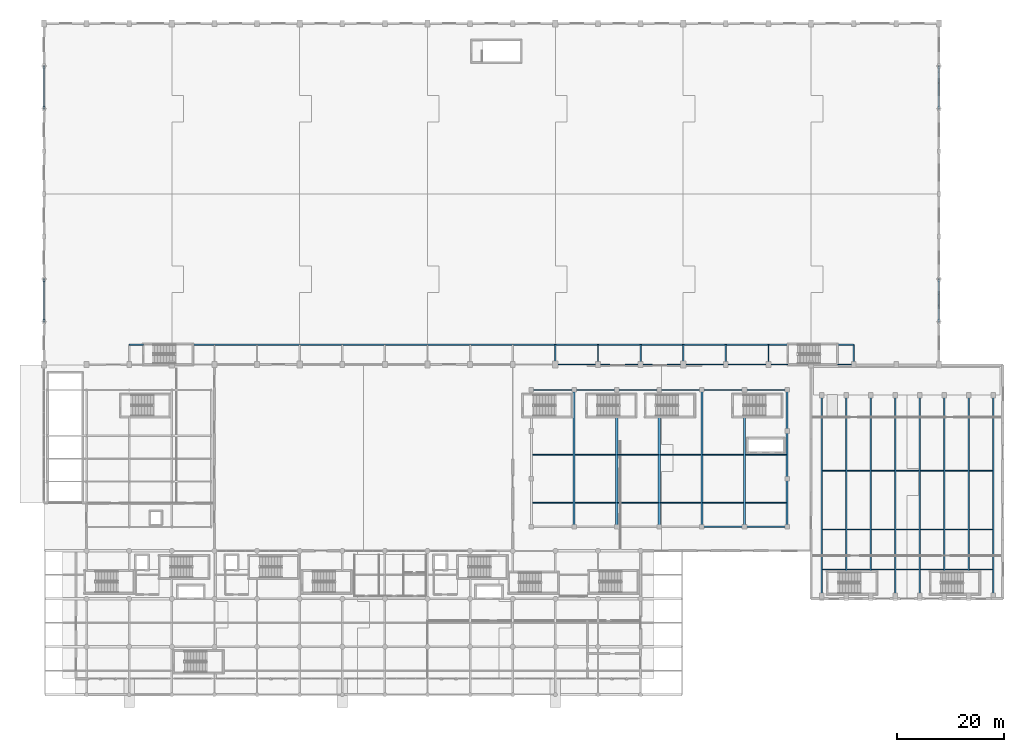
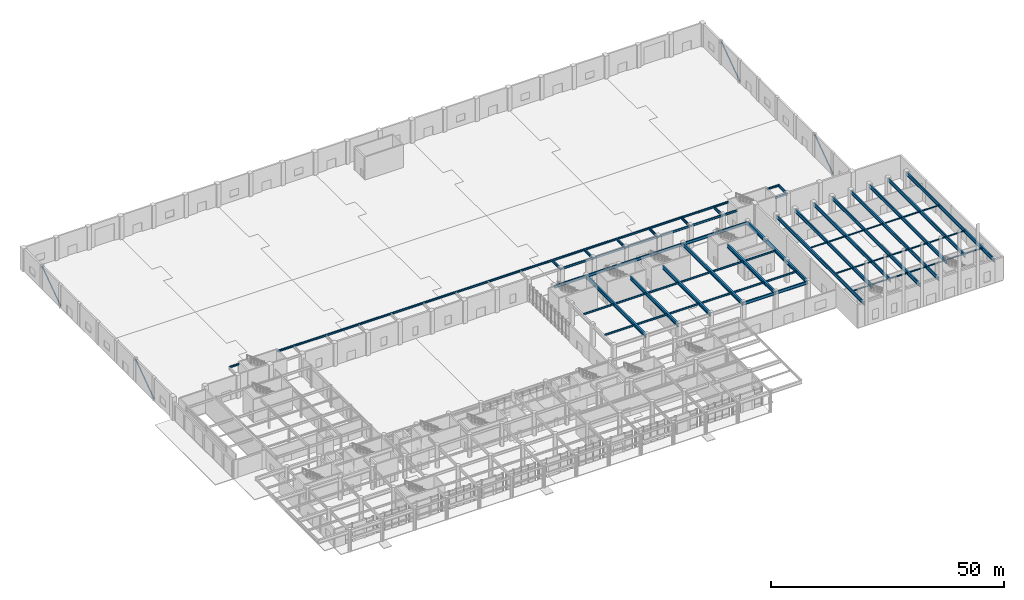
# One storey, part 18 of 49: 86 beams, 4 members.
"""IFC4 building model written with IfcOpenShell, lengths in metres."""

from ifc_helpers import new_model, si_unit, direction, frame, origin, origin_2d, place, context, subcontext, project, spatial, hollow_rectangle, i_section, extrude, material, material_profile, profile_set, type_object, element, save


model = new_model("IFC4")

# Units and contexts
model_context = context("Model", 3, precision=1e-05, world=origin(), true_north=direction((0.0, 1.0)))
body_context = subcontext(model_context, "Body", "Model", "MODEL_VIEW")
ifc_project = project(units=[si_unit("LENGTHUNIT", "METRE"), si_unit("AREAUNIT", "SQUARE_METRE"), si_unit("VOLUMEUNIT", "CUBIC_METRE"), si_unit("PLANEANGLEUNIT", "RADIAN"), si_unit("MASSUNIT", "GRAM", prefix="KILO")], contexts=[model_context])

# Site, building, storey
site_placement = place(None, origin())
site = spatial("IfcSite", under=ifc_project, at=site_placement, CompositionType="ELEMENT")
building_placement = place(site_placement, origin())
building = spatial("IfcBuilding", under=site, at=building_placement, Name="Tlacozan Convention Centre", CompositionType="ELEMENT")
storey_placement = place(building_placement, origin())
storey = spatial("IfcBuildingStorey", under=building, at=storey_placement, Name="L00", CompositionType="ELEMENT", Elevation=0.0)

# Beams
ifc_material_1 = material(Name="Steel ASTM A992 Grade 50", Category="steel")
ifc_material_profile_1 = material_profile(ifc_material_1, i_section(OverallWidth=0.41796875, OverallDepth=0.912109375, WebThickness=0.019287109375, FlangeThickness=0.031982421875, FilletRadius=0.02001953125, at=origin_2d()), Name="IR 914x342.0")
ifc_profile_set_1 = profile_set([ifc_material_profile_1], Name="Steel ASTM A992 Grade 50")
beam_type_1 = type_object("IfcBeamType", Name="Ballroom Span Girder IR 914x342", PredefinedType="BEAM", material=ifc_profile_set_1)
beam_1_placement = place(storey_placement, frame((99.5, 31.5, 5.2041015625), z_axis=(0.0, 1.0, 0.0), x_axis=(-1.0, 0.0, 0.0)))
element("IfcBeam", 1, at=beam_1_placement, inside=storey, type_object=beam_type_1, Name="L00 Ballroom Span Girder IR 914x342 1409", PredefinedType="BEAM", context=body_context, shape_type="SweptSolid", body=[
    extrude(i_section(OverallWidth=0.41796875, OverallDepth=0.912109375, WebThickness=0.019287109375, FlangeThickness=0.031982421875, FilletRadius=0.02001953125, at=origin_2d()), origin(), (0.0, 0.0, 1.0), 25.699951171875),
])
for number, where, z_axis, x_axis, name in (
    (2, (107.5, 31.5, 5.2041015625), (0.0, 1.0, 0.0), (-1.0, 0.0, 0.0), "L00 Ballroom Span Girder IR 914x342 1410"),
    (3, (115.5, 31.5, 5.2041015625), (0.0, 1.0, 0.0), (-1.0, 0.0, 0.0), "L00 Ballroom Span Girder IR 914x342 1411"),
):
    element("IfcBeam", number, at=place(storey_placement, frame(where, z_axis=z_axis, x_axis=x_axis)), inside=storey, type_object=beam_type_1, Name=name, PredefinedType="BEAM", context=body_context, shape_type="SweptSolid", body=[
        extrude(i_section(OverallWidth=0.41796875, OverallDepth=0.912109375, WebThickness=0.019287109375, FlangeThickness=0.031982421875, FilletRadius=0.02001953125, at=origin_2d()), origin(), (0.0, 0.0, 1.0), 20.639892578125),
    ])
beam_2_placement = place(storey_placement, frame((123.5, 31.5, 5.2041015625), z_axis=(0.0, 1.0, 0.0), x_axis=(-1.0, 0.0, 0.0)))
element("IfcBeam", 4, at=beam_2_placement, inside=storey, type_object=beam_type_1, Name="L00 Ballroom Span Girder IR 914x342 1412", PredefinedType="BEAM", context=body_context, shape_type="SweptSolid", body=[
    extrude(i_section(OverallWidth=0.41796875, OverallDepth=0.912109375, WebThickness=0.019287109375, FlangeThickness=0.031982421875, FilletRadius=0.02001953125, at=origin_2d()), origin(), (0.0, 0.0, 1.0), 25.699951171875),
])
beam_3_placement = place(storey_placement, frame((131.5, 31.5, 5.2041015625), z_axis=(0.0, 1.0, 0.0), x_axis=(-1.0, 0.0, 0.0)))
element("IfcBeam", 5, at=beam_3_placement, inside=storey, type_object=beam_type_1, Name="L00 Ballroom Span Girder IR 914x342 1413", PredefinedType="BEAM", context=body_context, shape_type="SweptSolid", body=[
    extrude(i_section(OverallWidth=0.41796875, OverallDepth=0.912109375, WebThickness=0.019287109375, FlangeThickness=0.031982421875, FilletRadius=0.02001953125, at=origin_2d()), origin(), (0.0, 0.0, 1.0), 20.639892578125),
])
beam_4_placement = place(storey_placement, frame((139.5, 31.5, 5.2041015625), z_axis=(0.0, 1.0, 0.0), x_axis=(-1.0, 0.0, 0.0)))
element("IfcBeam", 6, at=beam_4_placement, inside=storey, type_object=beam_type_1, Name="L00 Ballroom Span Girder IR 914x342 1414", PredefinedType="BEAM", context=body_context, shape_type="SweptSolid", body=[
    extrude(i_section(OverallWidth=0.41796875, OverallDepth=0.912109375, WebThickness=0.019287109375, FlangeThickness=0.031982421875, FilletRadius=0.02001953125, at=origin_2d()), origin(), (0.0, 0.0, 1.0), 25.699951171875),
])
ifc_material_profile_2 = material_profile(ifc_material_1, i_section(OverallWidth=0.280029296875, OverallDepth=0.462890625, WebThickness=0.0107421875, FlangeThickness=0.017333984375, FilletRadius=0.011962890625, at=origin_2d()), Name="IR 457x113.0")
ifc_profile_set_2 = profile_set([ifc_material_profile_2], Name="Steel ASTM A992 Grade 50")
beam_type_2 = type_object("IfcBeamType", Name="Floor Beam IR 457x113", PredefinedType="BEAM", material=ifc_profile_set_2)
beam_5_placement = place(storey_placement, frame((16.0, 65.64990234375, 5.53857421875), z_axis=(1.0, 0.0, 0.0), x_axis=(0.0, 1.0, 0.0)))
element("IfcBeam", 7, at=beam_5_placement, inside=storey, type_object=beam_type_2, Name="L00 Floor Beam IR 457x113 1317", PredefinedType="BEAM", context=body_context, shape_type="SweptSolid", body=[
    extrude(i_section(OverallWidth=0.280029296875, OverallDepth=0.462890625, WebThickness=0.0107421875, FlangeThickness=0.017333984375, FilletRadius=0.011962890625, at=origin_2d()), origin(), (0.0, 0.0, 1.0), 2.639892578125),
])
beam_6_placement = place(storey_placement, frame((27.9599609375, 65.64990234375, 5.53857421875), z_axis=(1.0, 0.0, 0.0), x_axis=(0.0, 1.0, 0.0)))
element("IfcBeam", 8, at=beam_6_placement, inside=storey, type_object=beam_type_2, Name="L00 Floor Beam IR 457x113 1319", PredefinedType="BEAM", context=body_context, shape_type="SweptSolid", body=[
    extrude(i_section(OverallWidth=0.280029296875, OverallDepth=0.462890625, WebThickness=0.0107421875, FlangeThickness=0.017333984375, FilletRadius=0.011962890625, at=origin_2d()), origin(), (0.0, 0.0, 1.0), 4.0400390625),
])
for number, where, z_axis, x_axis, name in (
    (9, (32.0, 65.64990234375, 5.53857421875), (1.0, 0.0, 0.0), (0.0, 1.0, 0.0), "L00 Floor Beam IR 457x113 1321"),
    (10, (40.0, 65.64990234375, 5.53857421875), (1.0, 0.0, 0.0), (0.0, 1.0, 0.0), "L00 Floor Beam IR 457x113 1323"),
    (11, (48.0, 65.64990234375, 5.53857421875), (1.0, 0.0, 0.0), (0.0, 1.0, 0.0), "L00 Floor Beam IR 457x113 1325"),
    (12, (56.0, 65.64990234375, 5.53857421875), (1.0, 0.0, 0.0), (0.0, 1.0, 0.0), "L00 Floor Beam IR 457x113 1327"),
    (13, (64.0, 65.64990234375, 5.53857421875), (1.0, 0.0, 0.0), (0.0, 1.0, 0.0), "L00 Floor Beam IR 457x113 1329"),
    (14, (72.0, 65.64990234375, 5.53857421875), (1.0, 0.0, 0.0), (0.0, 1.0, 0.0), "L00 Floor Beam IR 457x113 1331"),
    (15, (80.0, 65.64990234375, 5.53857421875), (1.0, 0.0, 0.0), (0.0, 1.0, 0.0), "L00 Floor Beam IR 457x113 1333"),
    (16, (88.0, 65.64990234375, 5.53857421875), (1.0, 0.0, 0.0), (0.0, 1.0, 0.0), "L00 Floor Beam IR 457x113 1335"),
    (17, (96.0, 65.64990234375, 5.53857421875), (1.0, 0.0, 0.0), (0.0, 1.0, 0.0), "L00 Floor Beam IR 457x113 1337"),
    (18, (104.0, 65.64990234375, 5.53857421875), (1.0, 0.0, 0.0), (0.0, 1.0, 0.0), "L00 Floor Beam IR 457x113 1339"),
    (19, (112.0, 65.64990234375, 5.53857421875), (1.0, 0.0, 0.0), (0.0, 1.0, 0.0), "L00 Floor Beam IR 457x113 1341"),
    (20, (120.0, 65.64990234375, 5.53857421875), (1.0, 0.0, 0.0), (0.0, 1.0, 0.0), "L00 Floor Beam IR 457x113 1343"),
    (21, (128.0, 65.64990234375, 5.53857421875), (1.0, 0.0, 0.0), (0.0, 1.0, 0.0), "L00 Floor Beam IR 457x113 1345"),
):
    element("IfcBeam", number, at=place(storey_placement, frame(where, z_axis=z_axis, x_axis=x_axis)), inside=storey, type_object=beam_type_2, Name=name, PredefinedType="BEAM", context=body_context, shape_type="SweptSolid", body=[
        extrude(i_section(OverallWidth=0.280029296875, OverallDepth=0.462890625, WebThickness=0.0107421875, FlangeThickness=0.017333984375, FilletRadius=0.011962890625, at=origin_2d()), origin(), (0.0, 0.0, 1.0), 8.0),
    ])
beam_7_placement = place(storey_placement, frame((136.0, 65.64990234375, 5.53857421875), z_axis=(1.0, 0.0, 0.0), x_axis=(0.0, 1.0, 0.0)))
element("IfcBeam", 22, at=beam_7_placement, inside=storey, type_object=beam_type_2, Name="L00 Floor Beam IR 457x113 1347", PredefinedType="BEAM", context=body_context, shape_type="SweptSolid", body=[
    extrude(i_section(OverallWidth=0.280029296875, OverallDepth=0.462890625, WebThickness=0.0107421875, FlangeThickness=0.017333984375, FilletRadius=0.011962890625, at=origin_2d()), origin(), (0.0, 0.0, 1.0), 3.639892578125),
])
beam_8_placement = place(storey_placement, frame((148.9599609375, 65.64990234375, 5.53857421875), z_axis=(1.0, 0.0, 0.0), x_axis=(0.0, 1.0, 0.0)))
element("IfcBeam", 23, at=beam_8_placement, inside=storey, type_object=beam_type_2, Name="L00 Floor Beam IR 457x113 1349", PredefinedType="BEAM", context=body_context, shape_type="SweptSolid", body=[
    extrude(i_section(OverallWidth=0.280029296875, OverallDepth=0.462890625, WebThickness=0.0107421875, FlangeThickness=0.017333984375, FilletRadius=0.011962890625, at=origin_2d()), origin(), (0.0, 0.0, 1.0), 3.0400390625),
])
ifc_material_profile_3 = material_profile(ifc_material_1, i_section(OverallWidth=0.2109375, OverallDepth=0.5390625, WebThickness=0.01171875, FlangeThickness=0.018798828125, FilletRadius=0.012939453125, at=origin_2d()), Name="IR 533x109.0")
ifc_profile_set_3 = profile_set([ifc_material_profile_3], Name="Steel ASTM A992 Grade 50")
beam_type_3 = type_object("IfcBeamType", Name="Floor Beam IR 533x109", PredefinedType="BEAM", material=ifc_profile_set_3)
for number, where, z_axis, x_axis, name in (
    (24, (96.0, 62.0, 5.50048828125), (1.0, 0.0, 0.0), (0.0, 1.0, 0.0), "L00 Floor Beam IR 533x109 1338"),
    (25, (104.0, 62.0, 5.50048828125), (1.0, 0.0, 0.0), (0.0, 1.0, 0.0), "L00 Floor Beam IR 533x109 1340"),
    (26, (112.0, 62.0, 5.50048828125), (1.0, 0.0, 0.0), (0.0, 1.0, 0.0), "L00 Floor Beam IR 533x109 1342"),
    (27, (120.0, 62.0, 5.50048828125), (1.0, 0.0, 0.0), (0.0, 1.0, 0.0), "L00 Floor Beam IR 533x109 1344"),
    (28, (128.0, 62.0, 5.50048828125), (1.0, 0.0, 0.0), (0.0, 1.0, 0.0), "L00 Floor Beam IR 533x109 1346"),
):
    element("IfcBeam", number, at=place(storey_placement, frame(where, z_axis=z_axis, x_axis=x_axis)), inside=storey, type_object=beam_type_3, Name=name, PredefinedType="BEAM", context=body_context, shape_type="SweptSolid", body=[
        extrude(i_section(OverallWidth=0.2109375, OverallDepth=0.5390625, WebThickness=0.01171875, FlangeThickness=0.018798828125, FilletRadius=0.012939453125, at=origin_2d()), origin(), (0.0, 0.0, 1.0), 8.0),
    ])
beam_9_placement = place(storey_placement, frame((136.0, 62.0, 5.50048828125), z_axis=(1.0, 0.0, 0.0), x_axis=(0.0, 1.0, 0.0)))
element("IfcBeam", 29, at=beam_9_placement, inside=storey, type_object=beam_type_3, Name="L00 Floor Beam IR 533x109 1348", PredefinedType="BEAM", context=body_context, shape_type="SweptSolid", body=[
    extrude(i_section(OverallWidth=0.2109375, OverallDepth=0.5390625, WebThickness=0.01171875, FlangeThickness=0.018798828125, FilletRadius=0.012939453125, at=origin_2d()), origin(), (0.0, 0.0, 1.0), 3.639892578125),
])
beam_10_placement = place(storey_placement, frame((148.9599609375, 62.0, 5.50048828125), z_axis=(1.0, 0.0, 0.0), x_axis=(0.0, 1.0, 0.0)))
element("IfcBeam", 30, at=beam_10_placement, inside=storey, type_object=beam_type_3, Name="L00 Floor Beam IR 533x109 1350", PredefinedType="BEAM", context=body_context, shape_type="SweptSolid", body=[
    extrude(i_section(OverallWidth=0.2109375, OverallDepth=0.5390625, WebThickness=0.01171875, FlangeThickness=0.018798828125, FilletRadius=0.012939453125, at=origin_2d()), origin(), (0.0, 0.0, 1.0), 3.0400390625),
])
ifc_material_profile_4 = material_profile(ifc_material_1, i_section(OverallWidth=0.256103515625, OverallDepth=0.693115234375, WebThickness=0.014404296875, FlangeThickness=0.023681640625, FilletRadius=0.014892578125, at=origin_2d()), Name="IR 686x170.0")
ifc_profile_set_4 = profile_set([ifc_material_profile_4], Name="Steel ASTM A992 Grade 50")
beam_type_4 = type_object("IfcBeamType", Name="Girder Steel IR 686x170", PredefinedType="BEAM", material=ifc_profile_set_4)
for number, where, z_axis, x_axis, name in (
    (31, (96.0, 62.0, 5.423583984375), (0.0, 1.0, 0.0), (-1.0, 0.0, 0.0), "L00 Girder Steel IR 686x170 1310"),
    (32, (104.0, 62.0, 5.423583984375), (0.0, 1.0, 0.0), (-1.0, 0.0, 0.0), "L00 Girder Steel IR 686x170 1311"),
    (33, (112.0, 62.0, 5.423583984375), (0.0, 1.0, 0.0), (-1.0, 0.0, 0.0), "L00 Girder Steel IR 686x170 1312"),
    (34, (120.0, 62.0, 5.423583984375), (0.0, 1.0, 0.0), (-1.0, 0.0, 0.0), "L00 Girder Steel IR 686x170 1313"),
    (35, (128.0, 62.0, 5.423583984375), (0.0, 1.0, 0.0), (-1.0, 0.0, 0.0), "L00 Girder Steel IR 686x170 1314"),
    (36, (136.0, 62.0, 5.423583984375), (0.0, 1.0, 0.0), (-1.0, 0.0, 0.0), "L00 Girder Steel IR 686x170 1315"),
    (37, (152.0, 62.0, 5.423583984375), (0.0, 1.0, 0.0), (-1.0, 0.0, 0.0), "L00 Girder Steel IR 686x170 1316"),
):
    element("IfcBeam", number, at=place(storey_placement, frame(where, z_axis=z_axis, x_axis=x_axis)), inside=storey, type_object=beam_type_4, Name=name, PredefinedType="BEAM", context=body_context, shape_type="SweptSolid", body=[
        extrude(i_section(OverallWidth=0.256103515625, OverallDepth=0.693115234375, WebThickness=0.014404296875, FlangeThickness=0.023681640625, FilletRadius=0.014892578125, at=origin_2d()), origin(), (0.0, 0.0, 1.0), 3.699951171875),
    ])
ifc_material_profile_5 = material_profile(ifc_material_1, i_section(OverallWidth=0.26806640625, OverallDepth=0.77001953125, WebThickness=0.015625, FlangeThickness=0.025390625, FilletRadius=0.01708984375, at=origin_2d()), Name="IR 762x196.0")
ifc_profile_set_5 = profile_set([ifc_material_profile_5], Name="Steel ASTM A992 Grade 50")
beam_type_5 = type_object("IfcBeamType", Name="Girder Steel IR 762x196", PredefinedType="BEAM", material=ifc_profile_set_5)
for number, where, z_axis, x_axis, name in (
    (38, (91.5, 57.199951171875, 5.27490234375), (1.0, 0.0, 0.0), (0.0, 1.0, 0.0), "L00 Girder Steel IR 762x196 1416"),
    (39, (99.5, 57.199951171875, 5.27490234375), (1.0, 0.0, 0.0), (0.0, 1.0, 0.0), "L00 Girder Steel IR 762x196 1420"),
    (40, (107.5, 57.199951171875, 5.27490234375), (1.0, 0.0, 0.0), (0.0, 1.0, 0.0), "L00 Girder Steel IR 762x196 1424"),
    (41, (115.5, 57.199951171875, 5.27490234375), (1.0, 0.0, 0.0), (0.0, 1.0, 0.0), "L00 Girder Steel IR 762x196 1428"),
    (42, (123.5, 31.5, 5.27490234375), (1.0, 0.0, 0.0), (0.0, 1.0, 0.0), "L00 Girder Steel IR 762x196 1431"),
    (43, (123.5, 57.199951171875, 5.27490234375), (1.0, 0.0, 0.0), (0.0, 1.0, 0.0), "L00 Girder Steel IR 762x196 1432"),
    (44, (131.5, 31.5, 5.27490234375), (1.0, 0.0, 0.0), (0.0, 1.0, 0.0), "L00 Girder Steel IR 762x196 1435"),
    (45, (131.5, 57.199951171875, 5.27490234375), (1.0, 0.0, 0.0), (0.0, 1.0, 0.0), "L00 Girder Steel IR 762x196 1436"),
):
    element("IfcBeam", number, at=place(storey_placement, frame(where, z_axis=z_axis, x_axis=x_axis)), inside=storey, type_object=beam_type_5, Name=name, PredefinedType="BEAM", context=body_context, shape_type="SweptSolid", body=[
        extrude(i_section(OverallWidth=0.26806640625, OverallDepth=0.77001953125, WebThickness=0.015625, FlangeThickness=0.025390625, FilletRadius=0.01708984375, at=origin_2d()), origin(), (0.0, 0.0, 1.0), 8.0),
    ])

# Members
ifc_material_2 = material(Name="Steel ASTM A500 Grade C", Category="steel")
ifc_material_profile_6 = material_profile(ifc_material_2, hollow_rectangle(XDim=0.203125, YDim=0.3046875, WallThickness=0.0126953125, InnerFilletRadius=0.0126953125, OuterFilletRadius=0.02490234375, at=origin_2d()), Name="OR 305x203x12.7")
ifc_profile_set_6 = profile_set([ifc_material_profile_6], Name="Steel ASTM A500 Grade C")
member_type = type_object("IfcMemberType", Name="Lateral Frame Brace OR 305x203x12.7", PredefinedType="BRACE", material=ifc_profile_set_6)
for number, where, z_axis, x_axis, name in (
    (46, (0.0, 70.0, 0.199951171875), (0.0, 0.819227222349, 0.573469055977), (-1.0, 0.0, 0.0), "L00 Vertical Portal Brace 1"),
    (47, (0.0, 110.0, 0.199951171875), (0.0, 0.819227222349, 0.573469055977), (-1.0, 0.0, 0.0), "L00 Vertical Portal Brace 2"),
    (48, (168.0, 70.0, 0.199951171875), (0.0, 0.819227222349, 0.573469055977), (-1.0, 0.0, 0.0), "L00 Vertical Portal Brace 3"),
    (49, (168.0, 110.0, 0.199951171875), (0.0, 0.819227222349, 0.573469055977), (-1.0, 0.0, 0.0), "L00 Vertical Portal Brace 4"),
):
    element("IfcMember", number, at=place(storey_placement, frame(where, z_axis=z_axis, x_axis=x_axis)), inside=storey, type_object=member_type, Name=name, PredefinedType="BRACE", context=body_context, shape_type="SweptSolid", body=[
        extrude(hollow_rectangle(XDim=0.203125, YDim=0.3046875, WallThickness=0.0126953125, InnerFilletRadius=0.0126953125, OuterFilletRadius=0.02490234375, at=origin_2d()), origin(), (0.0, 0.0, 1.0), 9.765380859375),
    ])

# Beams
ifc_material_profile_7 = material_profile(ifc_material_1, i_section(OverallWidth=0.30810546875, OverallDepth=0.927001953125, WebThickness=0.019287109375, FlangeThickness=0.031982421875, FilletRadius=0.01904296875, at=origin_2d()), Name="IR 914x289.0")
ifc_profile_set_7 = profile_set([ifc_material_profile_7], Name="Steel ASTM A992 Grade 50")
beam_type_6 = type_object("IfcBeamType", Name="Plenary Span Girder IR 914x289", PredefinedType="BEAM", material=ifc_profile_set_7)
beam_11_placement = place(storey_placement, frame((146.0, 18.5, 5.256591796875), z_axis=(0.0, 1.0, 0.0), x_axis=(-1.0, 0.0, 0.0)))
element("IfcBeam", 50, at=beam_11_placement, inside=storey, type_object=beam_type_6, Name="L00 Plenary Span Girder IR 914x289 1568", PredefinedType="BEAM", context=body_context, shape_type="SweptSolid", body=[
    extrude(i_section(OverallWidth=0.30810546875, OverallDepth=0.927001953125, WebThickness=0.019287109375, FlangeThickness=0.031982421875, FilletRadius=0.01904296875, at=origin_2d()), origin(), (0.0, 0.0, 1.0), 37.699951171875),
])
for number, where, z_axis, x_axis, name in (
    (51, (150.60009765625, 23.1201171875, 5.256591796875), (0.0, 1.0, 0.0), (-1.0, 0.0, 0.0), "L00 Plenary Span Girder IR 914x289 1569"),
    (52, (155.199951171875, 23.1201171875, 5.256591796875), (0.0, 1.0, 0.0), (-1.0, 0.0, 0.0), "L00 Plenary Span Girder IR 914x289 1570"),
):
    element("IfcBeam", number, at=place(storey_placement, frame(where, z_axis=z_axis, x_axis=x_axis)), inside=storey, type_object=beam_type_6, Name=name, PredefinedType="BEAM", context=body_context, shape_type="SweptSolid", body=[
        extrude(i_section(OverallWidth=0.30810546875, OverallDepth=0.927001953125, WebThickness=0.019287109375, FlangeThickness=0.031982421875, FilletRadius=0.01904296875, at=origin_2d()), origin(), (0.0, 0.0, 1.0), 33.079833984375),
    ])
for number, where, z_axis, x_axis, name in (
    (53, (159.800048828125, 18.5, 5.256591796875), (0.0, 1.0, 0.0), (-1.0, 0.0, 0.0), "L00 Plenary Span Girder IR 914x289 1571"),
    (54, (164.39990234375, 18.5, 5.256591796875), (0.0, 1.0, 0.0), (-1.0, 0.0, 0.0), "L00 Plenary Span Girder IR 914x289 1572"),
):
    element("IfcBeam", number, at=place(storey_placement, frame(where, z_axis=z_axis, x_axis=x_axis)), inside=storey, type_object=beam_type_6, Name=name, PredefinedType="BEAM", context=body_context, shape_type="SweptSolid", body=[
        extrude(i_section(OverallWidth=0.30810546875, OverallDepth=0.927001953125, WebThickness=0.019287109375, FlangeThickness=0.031982421875, FilletRadius=0.01904296875, at=origin_2d()), origin(), (0.0, 0.0, 1.0), 37.699951171875),
    ])
for number, where, z_axis, x_axis, name in (
    (55, (169.0, 23.1201171875, 5.256591796875), (0.0, 1.0, 0.0), (-1.0, 0.0, 0.0), "L00 Plenary Span Girder IR 914x289 1573"),
    (56, (173.60009765625, 23.1201171875, 5.256591796875), (0.0, 1.0, 0.0), (-1.0, 0.0, 0.0), "L00 Plenary Span Girder IR 914x289 1574"),
):
    element("IfcBeam", number, at=place(storey_placement, frame(where, z_axis=z_axis, x_axis=x_axis)), inside=storey, type_object=beam_type_6, Name=name, PredefinedType="BEAM", context=body_context, shape_type="SweptSolid", body=[
        extrude(i_section(OverallWidth=0.30810546875, OverallDepth=0.927001953125, WebThickness=0.019287109375, FlangeThickness=0.031982421875, FilletRadius=0.01904296875, at=origin_2d()), origin(), (0.0, 0.0, 1.0), 33.079833984375),
    ])
beam_12_placement = place(storey_placement, frame((178.199951171875, 18.5, 5.256591796875), z_axis=(0.0, 1.0, 0.0), x_axis=(-1.0, 0.0, 0.0)))
element("IfcBeam", 57, at=beam_12_placement, inside=storey, type_object=beam_type_6, Name="L00 Plenary Span Girder IR 914x289 1575", PredefinedType="BEAM", context=body_context, shape_type="SweptSolid", body=[
    extrude(i_section(OverallWidth=0.30810546875, OverallDepth=0.927001953125, WebThickness=0.019287109375, FlangeThickness=0.031982421875, FilletRadius=0.01904296875, at=origin_2d()), origin(), (0.0, 0.0, 1.0), 37.699951171875),
])
ifc_material_profile_8 = material_profile(ifc_material_1, i_section(OverallWidth=0.1669921875, OverallDepth=0.31689453125, WebThickness=0.007568359375, FlangeThickness=0.01318359375, FilletRadius=0.010009765625, at=origin_2d()), Name="IR 305x52.2")
ifc_profile_set_8 = profile_set([ifc_material_profile_8], Name="Steel ASTM A992 Grade 50")
beam_type_7 = type_object("IfcBeamType", Name="Secondary Joist IR 305x52.2", PredefinedType="JOIST", material=ifc_profile_set_8)
for number, where, z_axis, x_axis, name in (
    (58, (146.152099609375, 23.5, 5.5615234375), (1.0, 0.0, 0.0), (0.0, 1.0, 0.0), "L00 Secondary Joist IR 305x52.2 1576"),
    (59, (146.152099609375, 31.0, 5.5615234375), (1.0, 0.0, 0.0), (0.0, 1.0, 0.0), "L00 Secondary Joist IR 305x52.2 1577"),
    (60, (146.152099609375, 42.0, 5.5615234375), (1.0, 0.0, 0.0), (0.0, 1.0, 0.0), "L00 Secondary Joist IR 305x52.2 1578"),
):
    element("IfcBeam", number, at=place(storey_placement, frame(where, z_axis=z_axis, x_axis=x_axis)), inside=storey, type_object=beam_type_7, Name=name, PredefinedType="JOIST", context=body_context, shape_type="SweptSolid", body=[
        extrude(i_section(OverallWidth=0.1669921875, OverallDepth=0.31689453125, WebThickness=0.007568359375, FlangeThickness=0.01318359375, FilletRadius=0.010009765625, at=origin_2d()), origin(), (0.0, 0.0, 1.0), 4.2958984375),
    ])
for number, where, z_axis, x_axis, name in (
    (61, (150.751953125, 23.5, 5.5615234375), (1.0, 0.0, 0.0), (0.0, 1.0, 0.0), "L00 Secondary Joist IR 305x52.2 1579"),
    (62, (150.751953125, 31.0, 5.5615234375), (1.0, 0.0, 0.0), (0.0, 1.0, 0.0), "L00 Secondary Joist IR 305x52.2 1580"),
    (63, (150.751953125, 42.0, 5.5615234375), (1.0, 0.0, 0.0), (0.0, 1.0, 0.0), "L00 Secondary Joist IR 305x52.2 1581"),
):
    element("IfcBeam", number, at=place(storey_placement, frame(where, z_axis=z_axis, x_axis=x_axis)), inside=storey, type_object=beam_type_7, Name=name, PredefinedType="JOIST", context=body_context, shape_type="SweptSolid", body=[
        extrude(i_section(OverallWidth=0.1669921875, OverallDepth=0.31689453125, WebThickness=0.007568359375, FlangeThickness=0.01318359375, FilletRadius=0.010009765625, at=origin_2d()), origin(), (0.0, 0.0, 1.0), 4.296142578125),
    ])
for number, where, z_axis, x_axis, name in (
    (64, (155.35205078125, 23.5, 5.5615234375), (1.0, 0.0, 0.0), (0.0, 1.0, 0.0), "L00 Secondary Joist IR 305x52.2 1582"),
    (65, (155.35205078125, 31.0, 5.5615234375), (1.0, 0.0, 0.0), (0.0, 1.0, 0.0), "L00 Secondary Joist IR 305x52.2 1583"),
    (66, (155.35205078125, 42.0, 5.5615234375), (1.0, 0.0, 0.0), (0.0, 1.0, 0.0), "L00 Secondary Joist IR 305x52.2 1584"),
):
    element("IfcBeam", number, at=place(storey_placement, frame(where, z_axis=z_axis, x_axis=x_axis)), inside=storey, type_object=beam_type_7, Name=name, PredefinedType="JOIST", context=body_context, shape_type="SweptSolid", body=[
        extrude(i_section(OverallWidth=0.1669921875, OverallDepth=0.31689453125, WebThickness=0.007568359375, FlangeThickness=0.01318359375, FilletRadius=0.010009765625, at=origin_2d()), origin(), (0.0, 0.0, 1.0), 4.2958984375),
    ])
for number, where, z_axis, x_axis, name in (
    (67, (159.951904296875, 23.5, 5.5615234375), (1.0, 0.0, 0.0), (0.0, 1.0, 0.0), "L00 Secondary Joist IR 305x52.2 1585"),
    (68, (159.951904296875, 31.0, 5.5615234375), (1.0, 0.0, 0.0), (0.0, 1.0, 0.0), "L00 Secondary Joist IR 305x52.2 1586"),
    (69, (159.951904296875, 42.0, 5.5615234375), (1.0, 0.0, 0.0), (0.0, 1.0, 0.0), "L00 Secondary Joist IR 305x52.2 1587"),
):
    element("IfcBeam", number, at=place(storey_placement, frame(where, z_axis=z_axis, x_axis=x_axis)), inside=storey, type_object=beam_type_7, Name=name, PredefinedType="JOIST", context=body_context, shape_type="SweptSolid", body=[
        extrude(i_section(OverallWidth=0.1669921875, OverallDepth=0.31689453125, WebThickness=0.007568359375, FlangeThickness=0.01318359375, FilletRadius=0.010009765625, at=origin_2d()), origin(), (0.0, 0.0, 1.0), 4.296142578125),
    ])
for number, where, z_axis, x_axis, name in (
    (70, (164.552001953125, 23.5, 5.5615234375), (1.0, 0.0, 0.0), (0.0, 1.0, 0.0), "L00 Secondary Joist IR 305x52.2 1588"),
    (71, (164.552001953125, 31.0, 5.5615234375), (1.0, 0.0, 0.0), (0.0, 1.0, 0.0), "L00 Secondary Joist IR 305x52.2 1589"),
    (72, (164.552001953125, 42.0, 5.5615234375), (1.0, 0.0, 0.0), (0.0, 1.0, 0.0), "L00 Secondary Joist IR 305x52.2 1590"),
    (73, (169.152099609375, 23.5, 5.5615234375), (1.0, 0.0, 0.0), (0.0, 1.0, 0.0), "L00 Secondary Joist IR 305x52.2 1591"),
    (74, (169.152099609375, 31.0, 5.5615234375), (1.0, 0.0, 0.0), (0.0, 1.0, 0.0), "L00 Secondary Joist IR 305x52.2 1592"),
    (75, (169.152099609375, 42.0, 5.5615234375), (1.0, 0.0, 0.0), (0.0, 1.0, 0.0), "L00 Secondary Joist IR 305x52.2 1593"),
):
    element("IfcBeam", number, at=place(storey_placement, frame(where, z_axis=z_axis, x_axis=x_axis)), inside=storey, type_object=beam_type_7, Name=name, PredefinedType="JOIST", context=body_context, shape_type="SweptSolid", body=[
        extrude(i_section(OverallWidth=0.1669921875, OverallDepth=0.31689453125, WebThickness=0.007568359375, FlangeThickness=0.01318359375, FilletRadius=0.010009765625, at=origin_2d()), origin(), (0.0, 0.0, 1.0), 4.2958984375),
    ])
for number, where, z_axis, x_axis, name in (
    (76, (173.751953125, 23.5, 5.5615234375), (1.0, 0.0, 0.0), (0.0, 1.0, 0.0), "L00 Secondary Joist IR 305x52.2 1594"),
    (77, (173.751953125, 31.0, 5.5615234375), (1.0, 0.0, 0.0), (0.0, 1.0, 0.0), "L00 Secondary Joist IR 305x52.2 1595"),
    (78, (173.751953125, 42.0, 5.5615234375), (1.0, 0.0, 0.0), (0.0, 1.0, 0.0), "L00 Secondary Joist IR 305x52.2 1596"),
):
    element("IfcBeam", number, at=place(storey_placement, frame(where, z_axis=z_axis, x_axis=x_axis)), inside=storey, type_object=beam_type_7, Name=name, PredefinedType="JOIST", context=body_context, shape_type="SweptSolid", body=[
        extrude(i_section(OverallWidth=0.1669921875, OverallDepth=0.31689453125, WebThickness=0.007568359375, FlangeThickness=0.01318359375, FilletRadius=0.010009765625, at=origin_2d()), origin(), (0.0, 0.0, 1.0), 4.296142578125),
    ])
ifc_material_profile_9 = material_profile(ifc_material_1, i_section(OverallWidth=0.19189453125, OverallDepth=0.462890625, WebThickness=0.010498046875, FlangeThickness=0.017578125, FilletRadius=0.010986328125, at=origin_2d()), Name="IR 457x89.3")
ifc_profile_set_9 = profile_set([ifc_material_profile_9], Name="Steel ASTM A992 Grade 50")
beam_type_8 = type_object("IfcBeamType", Name="Secondary Joist IR 457x89.3", PredefinedType="JOIST", material=ifc_profile_set_9)
for number, where, z_axis, x_axis, name in (
    (79, (91.70703125, 36.0, 5.428466796875), (1.0, 0.0, 0.0), (0.0, 1.0, 0.0), "L00 Secondary Joist IR 457x89.3 1417"),
    (80, (91.70703125, 45.0, 5.428466796875), (1.0, 0.0, 0.0), (0.0, 1.0, 0.0), "L00 Secondary Joist IR 457x89.3 1418"),
    (81, (99.70703125, 36.0, 5.428466796875), (1.0, 0.0, 0.0), (0.0, 1.0, 0.0), "L00 Secondary Joist IR 457x89.3 1421"),
    (82, (99.70703125, 45.0, 5.428466796875), (1.0, 0.0, 0.0), (0.0, 1.0, 0.0), "L00 Secondary Joist IR 457x89.3 1422"),
    (83, (107.70703125, 36.0, 5.428466796875), (1.0, 0.0, 0.0), (0.0, 1.0, 0.0), "L00 Secondary Joist IR 457x89.3 1425"),
    (84, (107.70703125, 45.0, 5.428466796875), (1.0, 0.0, 0.0), (0.0, 1.0, 0.0), "L00 Secondary Joist IR 457x89.3 1426"),
    (85, (115.70703125, 36.0, 5.428466796875), (1.0, 0.0, 0.0), (0.0, 1.0, 0.0), "L00 Secondary Joist IR 457x89.3 1429"),
    (86, (115.70703125, 45.0, 5.428466796875), (1.0, 0.0, 0.0), (0.0, 1.0, 0.0), "L00 Secondary Joist IR 457x89.3 1430"),
    (87, (123.70703125, 36.0, 5.428466796875), (1.0, 0.0, 0.0), (0.0, 1.0, 0.0), "L00 Secondary Joist IR 457x89.3 1433"),
    (88, (123.70703125, 45.0, 5.428466796875), (1.0, 0.0, 0.0), (0.0, 1.0, 0.0), "L00 Secondary Joist IR 457x89.3 1434"),
    (89, (131.70703125, 36.0, 5.428466796875), (1.0, 0.0, 0.0), (0.0, 1.0, 0.0), "L00 Secondary Joist IR 457x89.3 1437"),
    (90, (131.70703125, 45.0, 5.428466796875), (1.0, 0.0, 0.0), (0.0, 1.0, 0.0), "L00 Secondary Joist IR 457x89.3 1438"),
):
    element("IfcBeam", number, at=place(storey_placement, frame(where, z_axis=z_axis, x_axis=x_axis)), inside=storey, type_object=beam_type_8, Name=name, PredefinedType="JOIST", context=body_context, shape_type="SweptSolid", body=[
        extrude(i_section(OverallWidth=0.19189453125, OverallDepth=0.462890625, WebThickness=0.010498046875, FlangeThickness=0.017578125, FilletRadius=0.010986328125, at=origin_2d()), origin(), (0.0, 0.0, 1.0), 7.5859375),
    ])

save(model, "model.ifc")
